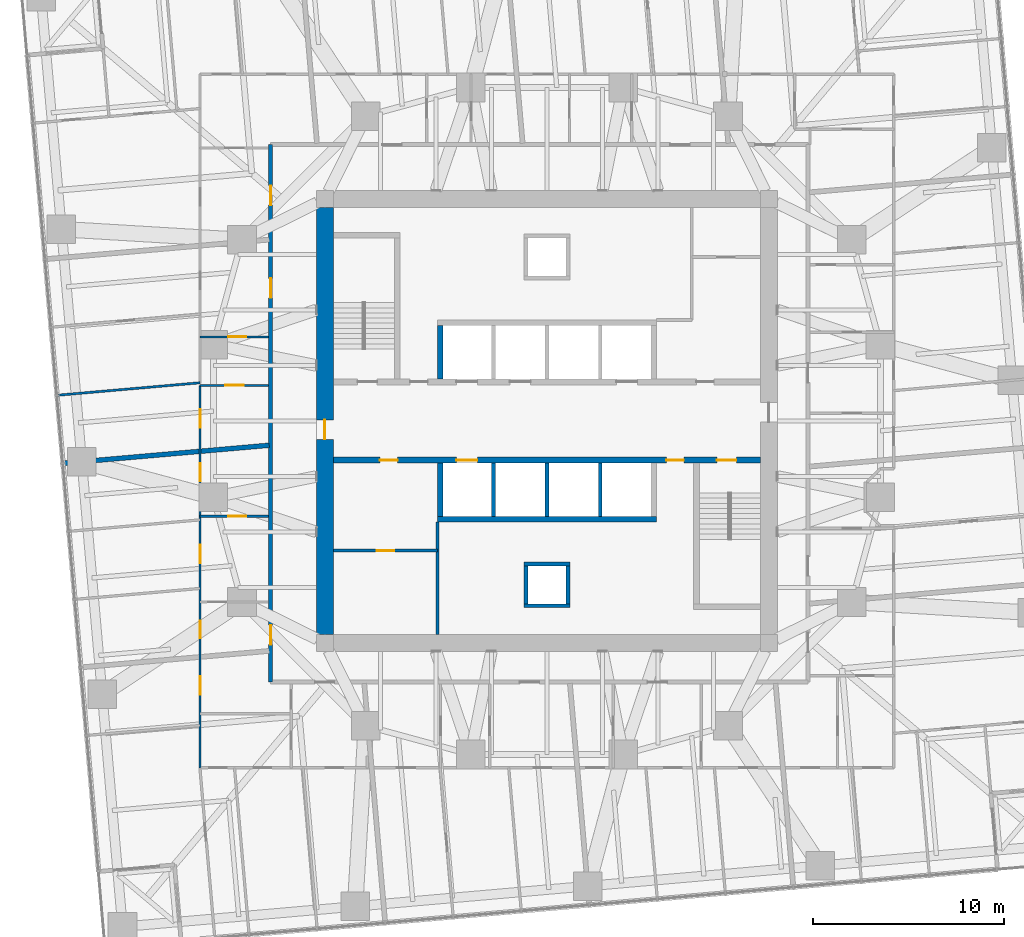
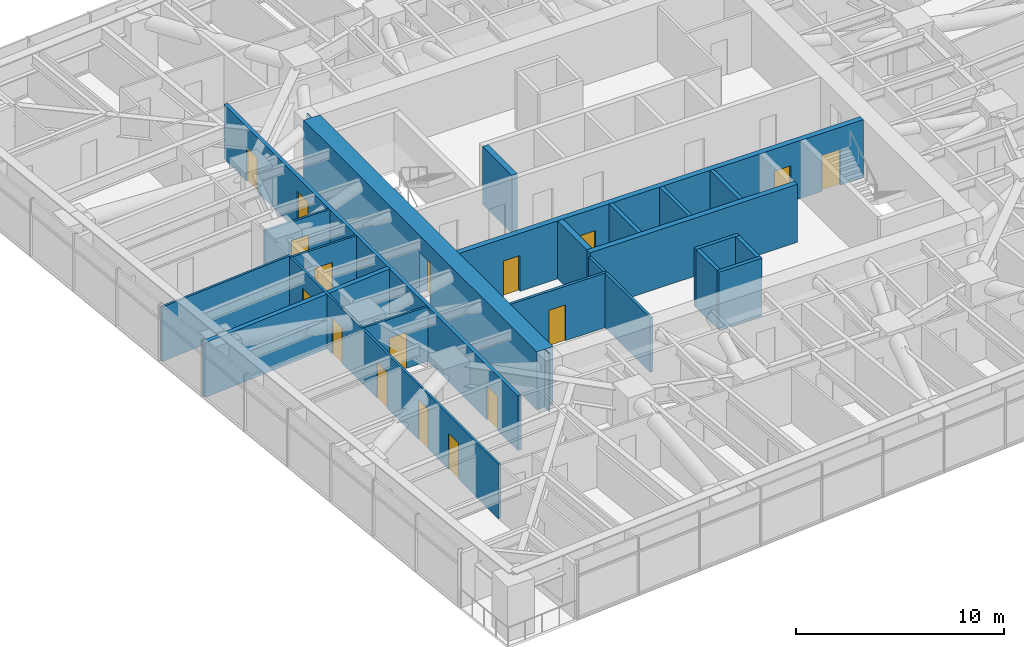
# One storey, part 12 of 18: 21 walls, 17 doors, 17 openings.
"""IFC4 building model written with IfcOpenShell, lengths in metres."""

from ifc_helpers import new_model, si_unit, direction, frame, frame_2d, origin, place, context, subcontext, project, spatial, polyline, rectangle, outline, extrude, material, layer, layer_set, type_object, element, fill, save


model = new_model("IFC4")

# Units and contexts
model_context = context("Model", 3, precision=1e-05, world=origin(), true_north=direction((0.0, 1.0)))
body_context = subcontext(model_context, "Body", "Model", "MODEL_VIEW")
ifc_project = project(units=[si_unit("LENGTHUNIT", "METRE"), si_unit("AREAUNIT", "SQUARE_METRE"), si_unit("VOLUMEUNIT", "CUBIC_METRE"), si_unit("PLANEANGLEUNIT", "RADIAN"), si_unit("MASSUNIT", "GRAM", prefix="KILO")], contexts=[model_context])

# Site, building, storey
site_placement = place(None, origin())
site = spatial("IfcSite", under=ifc_project, at=site_placement, CompositionType="ELEMENT")
building_placement = place(site_placement, origin())
building = spatial("IfcBuilding", under=site, at=building_placement, Name="Torsade Residences", CompositionType="ELEMENT")
storey_placement = place(building_placement, frame((0.0, 0.0, 71.0)))
storey = spatial("IfcBuildingStorey", under=building, at=storey_placement, Name="L19", CompositionType="ELEMENT", Elevation=71.0)

# Wall, openings, doors
ifc_material_1 = material(Name="Concrete 80 MPa", Category="concrete")
ifc_layer_1 = layer(ifc_material_1, 0.300048828125)
ifc_layer_set_1 = layer_set([ifc_layer_1], Name="Concrete 80 MPa")
wall_type_1 = type_object("IfcWallType", Name="CORE INTERNAL WALL 300", PredefinedType="SHEAR", material=ifc_layer_set_1)
wall_1_placement = place(storey_placement, frame((51.199951171875, 27.949951171875, 0.0), z_axis=(0.0, 0.0, 1.0), x_axis=(-1.0, 0.0, 0.0)))
wall_1 = element("IfcWall", 1, at=wall_1_placement, inside=storey, type_object=wall_type_1, Name="Core wall LS L19", PredefinedType="SHEAR", context=body_context, shape_type="SweptSolid", body=[
    extrude(rectangle(XDim=22.39990234375, YDim=0.300048828125, at=frame_2d((11.199951171875, 0.0))), origin(), (0.0, 0.0, 1.0), 3.39990234375),
])
opening_1_placement = place(wall_1_placement, frame((19.0400390625, 0.0, 0.0)))
opening_1 = element("IfcOpeningElement", 2, at=opening_1_placement, cuts=wall_1, Name="Opening D06", PredefinedType="OPENING", context=body_context, shape_type="SweptSolid", body=[
    extrude(rectangle(XDim=0.919921875, YDim=2.10009765625, at=frame_2d((0.4599609375, 1.050048828125))), frame((0.0, 0.159912109375, 0.0), z_axis=(0.0, -1.0, 0.0), x_axis=(1.0, 0.0, 0.0)), (0.0, 0.0, 1.0), 0.320068359375),
])
opening_2_placement = place(wall_1_placement, frame((1.264892578125, 0.0, 0.0)))
opening_2 = element("IfcOpeningElement", 3, at=opening_2_placement, cuts=wall_1, Name="Opening D03", PredefinedType="OPENING", context=body_context, shape_type="SweptSolid", body=[
    extrude(rectangle(XDim=1.02001953125, YDim=2.10009765625, at=frame_2d((0.510009765625, 1.050048828125))), frame((0.0, 0.159912109375, 0.0), z_axis=(0.0, -1.0, 0.0), x_axis=(1.0, 0.0, 0.0)), (0.0, 0.0, 1.0), 0.320068359375),
])
opening_3_placement = place(wall_1_placement, frame((4.014892578125, 0.0, 0.0)))
opening_3 = element("IfcOpeningElement", 4, at=opening_3_placement, cuts=wall_1, Name="Opening D06", PredefinedType="OPENING", context=body_context, shape_type="SweptSolid", body=[
    extrude(rectangle(XDim=0.919921875, YDim=2.10009765625, at=frame_2d((0.4599609375, 1.050048828125))), frame((0.0, 0.159912109375, 0.0), z_axis=(0.0, -1.0, 0.0), x_axis=(1.0, 0.0, 0.0)), (0.0, 0.0, 1.0), 0.320068359375),
])
opening_4_placement = place(wall_1_placement, frame((14.85009765625, 0.0, 0.0)))
opening_4 = element("IfcOpeningElement", 5, at=opening_4_placement, cuts=wall_1, Name="Opening LD", PredefinedType="OPENING", context=body_context, shape_type="SweptSolid", body=[
    extrude(rectangle(XDim=1.10009765625, YDim=2.10009765625, at=frame_2d((0.550048828125, 1.050048828125))), frame((0.0, 0.159912109375, 0.0), z_axis=(0.0, -1.0, 0.0), x_axis=(1.0, 0.0, 0.0)), (0.0, 0.0, 1.0), 0.320068359375),
])
ifc_material_2 = material(Name="Steel-framed fire door", Category="steel")
door_type_1 = type_object("IfcDoorType", Name="FIRE DOOR 1020", OperationType="NOTDEFINED", PredefinedType="DOOR", material=ifc_material_2)
door_1_placement = place(opening_2_placement, origin())
door_1 = element("IfcDoor", 6, at=door_1_placement, inside=storey, type_object=door_type_1, Name="Exit door to fire-isolated stair ST2 L19", OperationType="SINGLE_SWING_RIGHT", OverallHeight=2.10009765625, OverallWidth=1.02001953125, PredefinedType="DOOR", context=body_context, shape_type="SweptSolid", body=[
    extrude(rectangle(XDim=1.02001953125, YDim=2.10009765625, at=frame_2d((0.510009765625, 1.050048828125))), frame((0.0, 0.02490234375, 0.0), z_axis=(0.0, -1.0, 0.0), x_axis=(1.0, 0.0, 0.0)), (0.0, 0.0, 1.0), 0.050048828125),
])
fill(opening_2, door_1)
ifc_material_3 = material(Name="Steel-framed fire door", Category="steel")
door_type_2 = type_object("IfcDoorType", Name="FIRE DOOR 920", OperationType="NOTDEFINED", PredefinedType="DOOR", material=ifc_material_3)
door_2_placement = place(opening_1_placement, origin())
door_2 = element("IfcDoor", 7, at=door_2_placement, inside=storey, type_object=door_type_2, Name="Door Lift lobby to Cleaner store", OperationType="SINGLE_SWING_LEFT", OverallHeight=2.10009765625, OverallWidth=0.919921875, PredefinedType="DOOR", context=body_context, shape_type="SweptSolid", body=[
    extrude(rectangle(XDim=0.919921875, YDim=2.10009765625, at=frame_2d((0.4599609375, 1.050048828125))), frame((0.0, 0.02490234375, 0.0), z_axis=(0.0, -1.0, 0.0), x_axis=(1.0, 0.0, 0.0)), (0.0, 0.0, 1.0), 0.050048828125),
])
fill(opening_1, door_2)
door_3_placement = place(opening_3_placement, origin())
door_3 = element("IfcDoor", 8, at=door_3_placement, inside=storey, type_object=door_type_2, Name="Door Lift lobby to Communications riser room", OperationType="SINGLE_SWING_RIGHT", OverallHeight=2.10009765625, OverallWidth=0.919921875, PredefinedType="DOOR", context=body_context, shape_type="SweptSolid", body=[
    extrude(rectangle(XDim=0.919921875, YDim=2.10009765625, at=frame_2d((0.4599609375, 1.050048828125))), frame((0.0, 0.02490234375, 0.0), z_axis=(0.0, -1.0, 0.0), x_axis=(1.0, 0.0, 0.0)), (0.0, 0.0, 1.0), 0.050048828125),
])
fill(opening_3, door_3)
ifc_material_4 = material(Name="Stainless steel lift landing door", Category="steel")
door_type_3 = type_object("IfcDoorType", Name="LIFT LANDING DOOR 1100", OperationType="SLIDING_TO_LEFT", PredefinedType="DOOR", material=ifc_material_4)
door_4_placement = place(opening_4_placement, origin())
door_4 = element("IfcDoor", 9, at=door_4_placement, inside=storey, type_object=door_type_3, Name="Lift FL2 landing door L19", OperationType="SLIDING_TO_LEFT", OverallHeight=2.10009765625, OverallWidth=1.10009765625, PredefinedType="DOOR", context=body_context, shape_type="SweptSolid", body=[
    extrude(rectangle(XDim=1.10009765625, YDim=2.10009765625, at=frame_2d((0.550048828125, 1.050048828125))), frame((0.0, 0.02490234375, 0.0), z_axis=(0.0, -1.0, 0.0), x_axis=(1.0, 0.0, 0.0)), (0.0, 0.0, 1.0), 0.050048828125),
])
fill(opening_4, door_4)

# Walls
wall_2_placement = place(storey_placement, frame((45.75, 24.85009765625, 0.0), z_axis=(0.0, 0.0, 1.0), x_axis=(-1.0, 0.0, 0.0)))
element("IfcWall", 10, at=wall_2_placement, inside=storey, type_object=wall_type_1, Name="Core wall BS L19", PredefinedType="SHEAR", context=body_context, shape_type="SweptSolid", body=[
    extrude(rectangle(XDim=11.5, YDim=0.300048828125, at=frame_2d((5.75, 0.0))), origin(), (0.0, 0.0, 1.0), 3.39990234375),
])
for number, where, z_axis, x_axis, name in (
    (11, (34.39990234375, 32.199951171875, 0.0), (0.0, 0.0, 1.0), (0.0, 1.0, 0.0), "Core wall DN0 L19"),
    (12, (34.39990234375, 27.800048828125, 0.0), (0.0, 0.0, 1.0), (0.0, -1.0, 0.0), "Core wall DS4 L19"),
):
    element("IfcWall", number, at=place(storey_placement, frame(where, z_axis=z_axis, x_axis=x_axis)), inside=storey, type_object=wall_type_1, Name=name, PredefinedType="SHEAR", context=body_context, shape_type="SweptSolid", body=[
        extrude(rectangle(XDim=2.800048828125, YDim=0.300048828125, at=frame_2d((1.39990234375, 0.0))), origin(), (0.0, 0.0, 1.0), 3.39990234375),
    ])

# Wall, opening, door
ifc_material_5 = material(Name="Concrete 80 MPa", Category="concrete")
ifc_layer_2 = layer(ifc_material_5, 0.89990234375)
ifc_layer_set_2 = layer_set([ifc_layer_2], Name="Concrete 80 MPa")
wall_type_2 = type_object("IfcWallType", Name="CORE WALL 900", PredefinedType="SHEAR", material=ifc_layer_set_2)
wall_3_placement = place(storey_placement, frame((28.35009765625, 41.199951171875, 0.0), z_axis=(0.0, 0.0, 1.0), x_axis=(0.0, -1.0, 0.0)))
wall_3 = element("IfcWall", 13, at=wall_3_placement, inside=storey, type_object=wall_type_2, Name="Core wall W L19", PredefinedType="SHEAR", context=body_context, shape_type="SweptSolid", body=[
    extrude(outline(polyline([(0.0, -0.449951171875), (22.39990234375, -0.449951171875), (22.39990234375, -0.02490234375), (22.849853515625, -0.02490234375), (22.849853515625, 0.02490234375), (22.39990234375, 0.02490234375), (22.39990234375, 0.449951171875), (0.0, 0.449951171875), (0.0, 0.02490234375), (-0.449951171875, 0.02490234375), (-0.449951171875, -0.02490234375), (0.0, -0.02490234375), (0.0, -0.449951171875)])), origin(), (0.0, 0.0, 1.0), 3.39990234375),
])
opening_5_placement = place(wall_3_placement, frame((11.139892578125, 0.0, 0.0)))
opening_5 = element("IfcOpeningElement", 14, at=opening_5_placement, cuts=wall_3, Name="Opening D04", PredefinedType="OPENING", context=body_context, shape_type="SweptSolid", body=[
    extrude(rectangle(XDim=1.02001953125, YDim=2.39990234375, at=frame_2d((0.510009765625, 1.199951171875))), frame((0.0, 0.4599609375, 0.0), z_axis=(0.0, -1.0, 0.0), x_axis=(1.0, 0.0, 0.0)), (0.0, 0.0, 1.0), 0.919921875),
])
ifc_material_6 = material(Name="Steel-framed fire door", Category="steel")
door_type_4 = type_object("IfcDoorType", Name="LOBBY SMOKE DOOR 1020x2400", OperationType="NOTDEFINED", PredefinedType="DOOR", material=ifc_material_6)
door_5_placement = place(opening_5_placement, origin())
door_5 = element("IfcDoor", 15, at=door_5_placement, inside=storey, type_object=door_type_4, Name="Lift lobby door W L19", OperationType="SINGLE_SWING_RIGHT", OverallHeight=2.39990234375, OverallWidth=1.02001953125, PredefinedType="DOOR", context=body_context, shape_type="SweptSolid", body=[
    extrude(rectangle(XDim=1.02001953125, YDim=2.39990234375, at=frame_2d((0.510009765625, 1.199951171875))), frame((0.0, 0.02490234375, 0.0), z_axis=(0.0, -1.0, 0.0), x_axis=(1.0, 0.0, 0.0)), (0.0, 0.0, 1.0), 0.050048828125),
])
fill(opening_5, door_5)

# Wall, openings, doors
ifc_material_7 = material(Name="Plasterboard on steel stud", Category="steel")
ifc_layer_3 = layer(ifc_material_7, 0.199951171875)
ifc_layer_set_3 = layer_set([ifc_layer_3], Name="Plasterboard on steel stud")
wall_type_3 = type_object("IfcWallType", Name="CORRIDOR WALL 200", PredefinedType="PARTITIONING", material=ifc_layer_set_3)
wall_4_placement = place(storey_placement, frame((25.5, 44.5, 0.0), z_axis=(0.0, 0.0, 1.0), x_axis=(0.0, -1.0, 0.0)))
wall_4 = element("IfcWall", 16, at=wall_4_placement, inside=storey, type_object=wall_type_3, Name="Corridor wall L19", PredefinedType="PARTITIONING", context=body_context, shape_type="SweptSolid", body=[
    extrude(rectangle(XDim=28.199951171875, YDim=0.199951171875, at=frame_2d((14.10009765625, 0.0))), origin(), (0.0, 0.0, 1.0), 3.199951171875),
])
opening_6_placement = place(wall_4_placement, frame((7.019287109375, 0.0, 0.0)))
opening_6 = element("IfcOpeningElement", 17, at=opening_6_placement, cuts=wall_4, Name="Opening D01", PredefinedType="OPENING", context=body_context, shape_type="SweptSolid", body=[
    extrude(rectangle(XDim=1.02001953125, YDim=2.340087890625, at=frame_2d((0.510009765625, 1.169921875))), frame((0.0, 0.10986328125, 0.0), z_axis=(0.0, -1.0, 0.0), x_axis=(1.0, 0.0, 0.0)), (0.0, 0.0, 1.0), 0.219970703125),
])
opening_7_placement = place(wall_4_placement, frame((2.14990234375, 0.0, 0.0)))
opening_7 = element("IfcOpeningElement", 18, at=opening_7_placement, cuts=wall_4, Name="Opening D01N", PredefinedType="OPENING", context=body_context, shape_type="SweptSolid", body=[
    extrude(rectangle(XDim=1.02001953125, YDim=2.0, at=frame_2d((0.510009765625, 1.0))), frame((0.0, 0.10986328125, 0.0), z_axis=(0.0, -1.0, 0.0), x_axis=(1.0, 0.0, 0.0)), (0.0, 0.0, 1.0), 0.219970703125),
])
opening_8_placement = place(wall_4_placement, frame((25.2158203125, 0.0, 0.0)))
opening_8 = element("IfcOpeningElement", 19, at=opening_8_placement, cuts=wall_4, Name="Opening D01N", PredefinedType="OPENING", context=body_context, shape_type="SweptSolid", body=[
    extrude(rectangle(XDim=1.02001953125, YDim=2.0, at=frame_2d((0.510009765625, 1.0))), frame((0.0, 0.10986328125, 0.0), z_axis=(0.0, -1.0, 0.0), x_axis=(1.0, 0.0, 0.0)), (0.0, 0.0, 1.0), 0.219970703125),
])
ifc_material_8 = material(Name="Solid-core timber fire door", Category="wood")
door_type_5 = type_object("IfcDoorType", Name="APARTMENT ENTRY DOOR 1020x2000", OperationType="NOTDEFINED", PredefinedType="DOOR", material=ifc_material_8)
door_6_placement = place(opening_7_placement, origin())
door_6 = element("IfcDoor", 20, at=door_6_placement, inside=storey, type_object=door_type_5, Name="Door Residential corridor to Kitchen and dining", OperationType="SINGLE_SWING_LEFT", OverallHeight=2.0, OverallWidth=1.02001953125, PredefinedType="DOOR", context=body_context, shape_type="SweptSolid", body=[
    extrude(rectangle(XDim=1.02001953125, YDim=2.0, at=frame_2d((0.510009765625, 1.0))), frame((0.0, 0.02490234375, 0.0), z_axis=(0.0, -1.0, 0.0), x_axis=(1.0, 0.0, 0.0)), (0.0, 0.0, 1.0), 0.050048828125),
])
fill(opening_7, door_6)
door_7_placement = place(opening_8_placement, origin())
door_7 = element("IfcDoor", 21, at=door_7_placement, inside=storey, type_object=door_type_5, Name="Door Residential corridor to Kitchen and dining", OperationType="SINGLE_SWING_RIGHT", OverallHeight=2.0, OverallWidth=1.02001953125, PredefinedType="DOOR", context=body_context, shape_type="SweptSolid", body=[
    extrude(rectangle(XDim=1.02001953125, YDim=2.0, at=frame_2d((0.510009765625, 1.0))), frame((0.0, 0.02490234375, 0.0), z_axis=(0.0, -1.0, 0.0), x_axis=(1.0, 0.0, 0.0)), (0.0, 0.0, 1.0), 0.050048828125),
])
fill(opening_8, door_7)
ifc_material_9 = material(Name="Solid-core timber fire door", Category="wood")
door_type_6 = type_object("IfcDoorType", Name="APARTMENT ENTRY DOOR 1020x2340", OperationType="NOTDEFINED", PredefinedType="DOOR", material=ifc_material_9)
door_8_placement = place(opening_6_placement, origin())
door_8 = element("IfcDoor", 22, at=door_8_placement, inside=storey, type_object=door_type_6, Name="Door Residential corridor to Kitchen and dining", OperationType="SINGLE_SWING_RIGHT", OverallHeight=2.340087890625, OverallWidth=1.02001953125, PredefinedType="DOOR", context=body_context, shape_type="SweptSolid", body=[
    extrude(rectangle(XDim=1.02001953125, YDim=2.340087890625, at=frame_2d((0.510009765625, 1.169921875))), frame((0.0, 0.02490234375, 0.0), z_axis=(0.0, -1.0, 0.0), x_axis=(1.0, 0.0, 0.0)), (0.0, 0.0, 1.0), 0.050048828125),
])
fill(opening_6, door_8)

# Walls
ifc_material_10 = material(Name="Reinforced blockwork", Category="masonry")
ifc_layer_4 = layer(ifc_material_10, 0.199951171875)
ifc_layer_set_4 = layer_set([ifc_layer_4], Name="Reinforced blockwork")
wall_type_4 = type_object("IfcWallType", Name="LIFT SHAFT DIVIDING WALL 200", PredefinedType="SOLIDWALL", material=ifc_layer_set_4)
for number, where, z_axis, x_axis, name in (
    (23, (42.800048828125, 27.800048828125, 0.0), (0.0, 0.0, 1.0), (0.0, -1.0, 0.0), "Core wall DS1 L19"),
    (24, (40.0, 27.800048828125, 0.0), (0.0, 0.0, 1.0), (0.0, -1.0, 0.0), "Core wall DS2 L19"),
    (25, (37.199951171875, 27.800048828125, 0.0), (0.0, 0.0, 1.0), (0.0, -1.0, 0.0), "Core wall DS3 L19"),
):
    element("IfcWall", number, at=place(storey_placement, frame(where, z_axis=z_axis, x_axis=x_axis)), inside=storey, type_object=wall_type_4, Name=name, PredefinedType="SOLIDWALL", context=body_context, shape_type="SweptSolid", body=[
        extrude(rectangle(XDim=2.800048828125, YDim=0.199951171875, at=frame_2d((1.39990234375, 0.0))), origin(), (0.0, 0.0, 1.0), 3.39990234375),
    ])

# Wall, openings, doors
ifc_material_11 = material(Name="Plasterboard on steel stud", Category="steel")
ifc_layer_5 = layer(ifc_material_11, 0.1201171875)
ifc_layer_set_5 = layer_set([ifc_layer_5], Name="Plasterboard on steel stud")
wall_type_5 = type_object("IfcWallType", Name="PARTITION 120", PredefinedType="PARTITIONING", material=ifc_layer_set_5)
wall_5_placement = place(storey_placement, frame((21.800048828125, 11.800048828125, 0.0), z_axis=(0.0, 0.0, 1.0), x_axis=(0.0, 1.0, 0.0)))
wall_5 = element("IfcWall", 26, at=wall_5_placement, inside=storey, type_object=wall_type_5, Name="Partition L19", PredefinedType="PARTITIONING", context=body_context, shape_type="SweptSolid", body=[
    extrude(rectangle(XDim=20.06494140625, YDim=0.1201171875, at=frame_2d((10.032470703125, 0.0))), origin(), (0.0, 0.0, 1.0), 3.199951171875),
])
opening_9_placement = place(wall_5_placement, frame((6.79833984375, 0.0, 0.0)))
opening_9 = element("IfcOpeningElement", 27, at=opening_9_placement, cuts=wall_5, Name="Opening D02", PredefinedType="OPENING", context=body_context, shape_type="SweptSolid", body=[
    extrude(rectangle(XDim=0.919921875, YDim=2.340087890625, at=frame_2d((0.4599609375, 1.169921875))), frame((0.0, 0.070068359375, 0.0), z_axis=(0.0, -1.0, 0.0), x_axis=(1.0, 0.0, 0.0)), (0.0, 0.0, 1.0), 0.14013671875),
])
opening_10_placement = place(wall_5_placement, frame((3.84521484375, 0.0, 0.0)))
opening_10 = element("IfcOpeningElement", 28, at=opening_10_placement, cuts=wall_5, Name="Opening D05", PredefinedType="OPENING", context=body_context, shape_type="SweptSolid", body=[
    extrude(rectangle(XDim=0.9599609375, YDim=2.10009765625, at=frame_2d((0.47998046875, 1.050048828125))), frame((0.0, 0.070068359375, 0.0), z_axis=(0.0, -1.0, 0.0), x_axis=(1.0, 0.0, 0.0)), (0.0, 0.0, 1.0), 0.14013671875),
])
opening_11_placement = place(wall_5_placement, frame((10.732177734375, 0.0, 0.0)))
opening_11 = element("IfcOpeningElement", 29, at=opening_11_placement, cuts=wall_5, Name="Opening D05", PredefinedType="OPENING", context=body_context, shape_type="SweptSolid", body=[
    extrude(rectangle(XDim=0.9599609375, YDim=2.10009765625, at=frame_2d((0.47998046875, 1.050048828125))), frame((0.0, 0.070068359375, 0.0), z_axis=(0.0, -1.0, 0.0), x_axis=(1.0, 0.0, 0.0)), (0.0, 0.0, 1.0), 0.14013671875),
])
opening_12_placement = place(wall_5_placement, frame((17.8564453125, 0.0, 0.0)))
opening_12 = element("IfcOpeningElement", 30, at=opening_12_placement, cuts=wall_5, Name="Opening D05", PredefinedType="OPENING", context=body_context, shape_type="SweptSolid", body=[
    extrude(rectangle(XDim=0.9599609375, YDim=2.10009765625, at=frame_2d((0.47998046875, 1.050048828125))), frame((0.0, 0.070068359375, 0.0), z_axis=(0.0, -1.0, 0.0), x_axis=(1.0, 0.0, 0.0)), (0.0, 0.0, 1.0), 0.14013671875),
])
opening_13_placement = place(wall_5_placement, frame((15.02685546875, 0.0, 0.0)))
opening_13 = element("IfcOpeningElement", 31, at=opening_13_placement, cuts=wall_5, Name="Opening D05", PredefinedType="OPENING", context=body_context, shape_type="SweptSolid", body=[
    extrude(rectangle(XDim=0.9599609375, YDim=2.10009765625, at=frame_2d((0.47998046875, 1.050048828125))), frame((0.0, 0.070068359375, 0.0), z_axis=(0.0, -1.0, 0.0), x_axis=(1.0, 0.0, 0.0)), (0.0, 0.0, 1.0), 0.14013671875),
])
ifc_material_12 = material(Name="Hollow-core timber door in a steel cavity frame", Category="steel")
door_type_7 = type_object("IfcDoorType", Name="BATHROOM CAVITY SLIDING DOOR 960", OperationType="SLIDING_TO_LEFT", PredefinedType="DOOR", material=ifc_material_12)
door_9_placement = place(opening_10_placement, origin())
door_9 = element("IfcDoor", 32, at=door_9_placement, inside=storey, type_object=door_type_7, Name="Door Bathroom to Study", OperationType="SLIDING_TO_LEFT", OverallHeight=2.10009765625, OverallWidth=0.9599609375, PredefinedType="DOOR", context=body_context, shape_type="SweptSolid", body=[
    extrude(rectangle(XDim=0.9599609375, YDim=2.10009765625, at=frame_2d((0.47998046875, 1.050048828125))), frame((0.0, 0.02490234375, 0.0), z_axis=(0.0, -1.0, 0.0), x_axis=(1.0, 0.0, 0.0)), (0.0, 0.0, 1.0), 0.050048828125),
])
fill(opening_10, door_9)
door_10_placement = place(opening_11_placement, origin())
door_10 = element("IfcDoor", 33, at=door_10_placement, inside=storey, type_object=door_type_7, Name="Door Ensuite to Bedroom 1", OperationType="SLIDING_TO_LEFT", OverallHeight=2.10009765625, OverallWidth=0.9599609375, PredefinedType="DOOR", context=body_context, shape_type="SweptSolid", body=[
    extrude(rectangle(XDim=0.9599609375, YDim=2.10009765625, at=frame_2d((0.47998046875, 1.050048828125))), frame((0.0, 0.02490234375, 0.0), z_axis=(0.0, -1.0, 0.0), x_axis=(1.0, 0.0, 0.0)), (0.0, 0.0, 1.0), 0.050048828125),
])
fill(opening_11, door_10)
door_11_placement = place(opening_12_placement, origin())
door_11 = element("IfcDoor", 34, at=door_11_placement, inside=storey, type_object=door_type_7, Name="Door Bathroom to Bedroom 2", OperationType="SLIDING_TO_LEFT", OverallHeight=2.10009765625, OverallWidth=0.9599609375, PredefinedType="DOOR", context=body_context, shape_type="SweptSolid", body=[
    extrude(rectangle(XDim=0.9599609375, YDim=2.10009765625, at=frame_2d((0.47998046875, 1.050048828125))), frame((0.0, 0.02490234375, 0.0), z_axis=(0.0, -1.0, 0.0), x_axis=(1.0, 0.0, 0.0)), (0.0, 0.0, 1.0), 0.050048828125),
])
fill(opening_12, door_11)
door_12_placement = place(opening_13_placement, origin())
door_12 = element("IfcDoor", 35, at=door_12_placement, inside=storey, type_object=door_type_7, Name="Door Bathroom to Living room", OperationType="SLIDING_TO_LEFT", OverallHeight=2.10009765625, OverallWidth=0.9599609375, PredefinedType="DOOR", context=body_context, shape_type="SweptSolid", body=[
    extrude(rectangle(XDim=0.9599609375, YDim=2.10009765625, at=frame_2d((0.47998046875, 1.050048828125))), frame((0.0, 0.02490234375, 0.0), z_axis=(0.0, -1.0, 0.0), x_axis=(1.0, 0.0, 0.0)), (0.0, 0.0, 1.0), 0.050048828125),
])
fill(opening_13, door_12)
ifc_material_13 = material(Name="Hollow-core timber door", Category="wood")
door_type_8 = type_object("IfcDoorType", Name="INTERNAL DOOR 920x2340", OperationType="NOTDEFINED", PredefinedType="DOOR", material=ifc_material_13)
door_13_placement = place(opening_9_placement, origin())
door_13 = element("IfcDoor", 36, at=door_13_placement, inside=storey, type_object=door_type_8, Name="Door Kitchen and dining to Bedroom 2", OperationType="SINGLE_SWING_LEFT", OverallHeight=2.340087890625, OverallWidth=0.919921875, PredefinedType="DOOR", context=body_context, shape_type="SweptSolid", body=[
    extrude(rectangle(XDim=0.919921875, YDim=2.340087890625, at=frame_2d((0.4599609375, 1.169921875))), frame((0.0, 0.02490234375, 0.0), z_axis=(0.0, -1.0, 0.0), x_axis=(1.0, 0.0, 0.0)), (0.0, 0.0, 1.0), 0.050048828125),
])
fill(opening_9, door_13)

# Wall, opening, door
wall_6_placement = place(storey_placement, frame((25.39990234375, 25.005859375, 0.0), z_axis=(0.0, 0.0, 1.0), x_axis=(-1.0, 0.0, 0.0)))
wall_6 = element("IfcWall", 37, at=wall_6_placement, inside=storey, type_object=wall_type_5, Name="Partition L19", PredefinedType="PARTITIONING", context=body_context, shape_type="SweptSolid", body=[
    extrude(rectangle(XDim=3.599853515625, YDim=0.1201171875, at=frame_2d((1.7998046875, 0.0))), origin(), (0.0, 0.0, 1.0), 3.199951171875),
])
opening_14_placement = place(wall_6_placement, frame((1.169921875, 0.0, 0.0)))
opening_14 = element("IfcOpeningElement", 38, at=opening_14_placement, cuts=wall_6, Name="Opening D05", PredefinedType="OPENING", context=body_context, shape_type="SweptSolid", body=[
    extrude(rectangle(XDim=0.9599609375, YDim=2.10009765625, at=frame_2d((0.47998046875, 1.050048828125))), frame((0.0, 0.070068359375, 0.0), z_axis=(0.0, -1.0, 0.0), x_axis=(1.0, 0.0, 0.0)), (0.0, 0.0, 1.0), 0.14013671875),
])
door_14_placement = place(opening_14_placement, origin())
door_14 = element("IfcDoor", 39, at=door_14_placement, inside=storey, type_object=door_type_7, Name="Door Ensuite to Bathroom", OperationType="SLIDING_TO_LEFT", OverallHeight=2.10009765625, OverallWidth=0.9599609375, PredefinedType="DOOR", context=body_context, shape_type="SweptSolid", body=[
    extrude(rectangle(XDim=0.9599609375, YDim=2.10009765625, at=frame_2d((0.47998046875, 1.050048828125))), frame((0.0, 0.02490234375, 0.0), z_axis=(0.0, -1.0, 0.0), x_axis=(1.0, 0.0, 0.0)), (0.0, 0.0, 1.0), 0.050048828125),
])
fill(opening_14, door_14)

wall_7_placement = place(storey_placement, frame((25.39990234375, 34.409423828125, 0.0), z_axis=(0.0, 0.0, 1.0), x_axis=(-1.0, 0.0, 0.0)))
wall_7 = element("IfcWall", 40, at=wall_7_placement, inside=storey, type_object=wall_type_5, Name="Partition L19", PredefinedType="PARTITIONING", context=body_context, shape_type="SweptSolid", body=[
    extrude(rectangle(XDim=3.599853515625, YDim=0.1201171875, at=frame_2d((1.7998046875, 0.0))), origin(), (0.0, 0.0, 1.0), 3.199951171875),
])
opening_15_placement = place(wall_7_placement, frame((1.169921875, 0.0, 0.0)))
opening_15 = element("IfcOpeningElement", 41, at=opening_15_placement, cuts=wall_7, Name="Opening D05", PredefinedType="OPENING", context=body_context, shape_type="SweptSolid", body=[
    extrude(rectangle(XDim=0.9599609375, YDim=2.10009765625, at=frame_2d((0.47998046875, 1.050048828125))), frame((0.0, 0.070068359375, 0.0), z_axis=(0.0, -1.0, 0.0), x_axis=(1.0, 0.0, 0.0)), (0.0, 0.0, 1.0), 0.14013671875),
])
door_15_placement = place(opening_15_placement, origin())
door_15 = element("IfcDoor", 42, at=door_15_placement, inside=storey, type_object=door_type_7, Name="Door Kitchen and dining to Ensuite", OperationType="SLIDING_TO_LEFT", OverallHeight=2.10009765625, OverallWidth=0.9599609375, PredefinedType="DOOR", context=body_context, shape_type="SweptSolid", body=[
    extrude(rectangle(XDim=0.9599609375, YDim=2.10009765625, at=frame_2d((0.47998046875, 1.050048828125))), frame((0.0, 0.02490234375, 0.0), z_axis=(0.0, -1.0, 0.0), x_axis=(1.0, 0.0, 0.0)), (0.0, 0.0, 1.0), 0.050048828125),
])
fill(opening_15, door_15)

wall_8_placement = place(storey_placement, frame((21.800048828125, 31.864990234375, 0.0), z_axis=(0.0, 0.0, 1.0), x_axis=(1.0, 0.0, 0.0)))
wall_8 = element("IfcWall", 43, at=wall_8_placement, inside=storey, type_object=wall_type_5, Name="Partition L19", PredefinedType="PARTITIONING", context=body_context, shape_type="SweptSolid", body=[
    extrude(rectangle(XDim=3.599853515625, YDim=0.1201171875, at=frame_2d((1.7998046875, 0.0))), origin(), (0.0, 0.0, 1.0), 3.199951171875),
])
opening_16_placement = place(wall_8_placement, frame((1.320068359375, 0.0, 0.0)))
opening_16 = element("IfcOpeningElement", 44, at=opening_16_placement, cuts=wall_8, Name="Opening D05", PredefinedType="OPENING", context=body_context, shape_type="SweptSolid", body=[
    extrude(rectangle(XDim=0.9599609375, YDim=2.10009765625, at=frame_2d((0.47998046875, 1.050048828125))), frame((0.0, 0.070068359375, 0.0), z_axis=(0.0, -1.0, 0.0), x_axis=(1.0, 0.0, 0.0)), (0.0, 0.0, 1.0), 0.14013671875),
])
door_16_placement = place(opening_16_placement, origin())
door_16 = element("IfcDoor", 45, at=door_16_placement, inside=storey, type_object=door_type_7, Name="Door Ensuite to Bathroom", OperationType="SLIDING_TO_LEFT", OverallHeight=2.10009765625, OverallWidth=0.9599609375, PredefinedType="DOOR", context=body_context, shape_type="SweptSolid", body=[
    extrude(rectangle(XDim=0.9599609375, YDim=2.10009765625, at=frame_2d((0.47998046875, 1.050048828125))), frame((0.0, 0.02490234375, 0.0), z_axis=(0.0, -1.0, 0.0), x_axis=(1.0, 0.0, 0.0)), (0.0, 0.0, 1.0), 0.050048828125),
])
fill(opening_16, door_16)

# Walls
wall_9_placement = place(storey_placement, frame((21.800048828125, 32.004638671875, 0.0), z_axis=(0.0, 0.0, 1.0), x_axis=(-0.99619442374, -0.08715887855, 0.0)))
element("IfcWall", 46, at=wall_9_placement, inside=storey, type_object=wall_type_5, Name="Partition L19", PredefinedType="PARTITIONING", context=body_context, shape_type="SweptSolid", body=[
    extrude(rectangle(XDim=7.504150390625, YDim=0.1201171875, at=frame_2d((3.751953125, 0.0))), origin(), (0.0, 0.0, 1.0), 3.199951171875),
])
ifc_material_14 = material(Name="Masonry-lined stud party wall", Category="masonry")
ifc_layer_6 = layer(ifc_material_14, 0.25)
ifc_layer_set_6 = layer_set([ifc_layer_6], Name="Masonry-lined stud party wall")
wall_type_6 = type_object("IfcWallType", Name="PARTY WALL 250", PredefinedType="PARTITIONING", material=ifc_layer_set_6)
wall_10_placement = place(storey_placement, frame((14.596923828125, 27.777587890625, 0.0), z_axis=(0.0, 0.0, 1.0), x_axis=(0.996196056792, 0.087140211333, 0.0)))
element("IfcWall", 47, at=wall_10_placement, inside=storey, type_object=wall_type_6, Name="Party wall L19", PredefinedType="PARTITIONING", context=body_context, shape_type="SweptSolid", body=[
    extrude(rectangle(XDim=10.873291015625, YDim=0.25, at=frame_2d((5.4365234375, 0.0))), origin(), (0.0, 0.0, 1.0), 3.199951171875),
])
ifc_material_15 = material(Name="Reinforced blockwork", Category="masonry")
ifc_layer_7 = layer(ifc_material_15, 0.199951171875)
ifc_layer_set_7 = layer_set([ifc_layer_7], Name="Reinforced blockwork")
wall_type_7 = type_object("IfcWallType", Name="RISER SHAFT WALL 200", PredefinedType="SOLIDWALL", material=ifc_layer_set_7)
for number, where, z_axis, x_axis, name in (
    (48, (38.89990234375, 22.39990234375, 0.0), (0.0, 0.0, 1.0), (0.0, -1.0, 0.0), "Core wall RS2a L19"),
    (49, (41.10009765625, 22.39990234375, 0.0), (0.0, 0.0, 1.0), (0.0, -1.0, 0.0), "Core wall RS2b L19"),
):
    element("IfcWall", number, at=place(storey_placement, frame(where, z_axis=z_axis, x_axis=x_axis)), inside=storey, type_object=wall_type_7, Name=name, PredefinedType="SOLIDWALL", context=body_context, shape_type="SweptSolid", body=[
        extrude(rectangle(XDim=2.0, YDim=0.199951171875, at=frame_2d((1.0, 0.0))), origin(), (0.0, 0.0, 1.0), 3.39990234375),
    ])
for number, where, z_axis, x_axis, name in (
    (50, (38.800048828125, 22.5, 0.0), (0.0, 0.0, 1.0), (1.0, 0.0, 0.0), "Core wall RS2c L19"),
    (51, (38.800048828125, 20.300048828125, 0.0), (0.0, 0.0, 1.0), (1.0, 0.0, 0.0), "Core wall RS2d L19"),
):
    element("IfcWall", number, at=place(storey_placement, frame(where, z_axis=z_axis, x_axis=x_axis)), inside=storey, type_object=wall_type_7, Name=name, PredefinedType="SOLIDWALL", context=body_context, shape_type="SweptSolid", body=[
        extrude(rectangle(XDim=2.39990234375, YDim=0.199951171875, at=frame_2d((1.199951171875, 0.0))), origin(), (0.0, 0.0, 1.0), 3.39990234375),
    ])
ifc_material_16 = material(Name="Reinforced blockwork", Category="masonry")
ifc_layer_8 = layer(ifc_material_16, 0.14990234375)
ifc_layer_set_8 = layer_set([ifc_layer_8], Name="Reinforced blockwork")
wall_type_8 = type_object("IfcWallType", Name="SERVICE ROOM WALL 150", PredefinedType="SOLIDWALL", material=ifc_layer_set_8)
wall_11_placement = place(storey_placement, frame((34.25, 18.800048828125, 0.0), z_axis=(0.0, 0.0, 1.0), x_axis=(0.0, 1.0, 0.0)))
element("IfcWall", 52, at=wall_11_placement, inside=storey, type_object=wall_type_8, Name="Service room wall L19", PredefinedType="SOLIDWALL", context=body_context, shape_type="SweptSolid", body=[
    extrude(rectangle(XDim=5.89990234375, YDim=0.14990234375, at=frame_2d((2.949951171875, 0.0))), origin(), (0.0, 0.0, 1.0), 3.199951171875),
])

# Wall, opening, door
wall_12_placement = place(storey_placement, frame((34.25, 23.199951171875, 0.0), z_axis=(0.0, 0.0, 1.0), x_axis=(-1.0, 0.0, 0.0)))
wall_12 = element("IfcWall", 53, at=wall_12_placement, inside=storey, type_object=wall_type_8, Name="Service room wall L19", PredefinedType="SOLIDWALL", context=body_context, shape_type="SweptSolid", body=[
    extrude(rectangle(XDim=5.449951171875, YDim=0.14990234375, at=frame_2d((2.72509765625, 0.0))), origin(), (0.0, 0.0, 1.0), 3.199951171875),
])
opening_17_placement = place(wall_12_placement, frame((2.264892578125, 0.0, 0.0)))
opening_17 = element("IfcOpeningElement", 54, at=opening_17_placement, cuts=wall_12, Name="Opening D06", PredefinedType="OPENING", context=body_context, shape_type="SweptSolid", body=[
    extrude(rectangle(XDim=0.919921875, YDim=2.10009765625, at=frame_2d((0.4599609375, 1.050048828125))), frame((0.0, 0.0849609375, 0.0), z_axis=(0.0, -1.0, 0.0), x_axis=(1.0, 0.0, 0.0)), (0.0, 0.0, 1.0), 0.169921875),
])
door_17_placement = place(opening_17_placement, origin())
door_17 = element("IfcDoor", 55, at=door_17_placement, inside=storey, type_object=door_type_2, Name="Door Cleaner store to Hose reel and hydrant store", OperationType="SINGLE_SWING_LEFT", OverallHeight=2.10009765625, OverallWidth=0.919921875, PredefinedType="DOOR", context=body_context, shape_type="SweptSolid", body=[
    extrude(rectangle(XDim=0.919921875, YDim=2.10009765625, at=frame_2d((0.4599609375, 1.050048828125))), frame((0.0, 0.02490234375, 0.0), z_axis=(0.0, -1.0, 0.0), x_axis=(1.0, 0.0, 0.0)), (0.0, 0.0, 1.0), 0.050048828125),
])
fill(opening_17, door_17)

save(model, "model.ifc")
